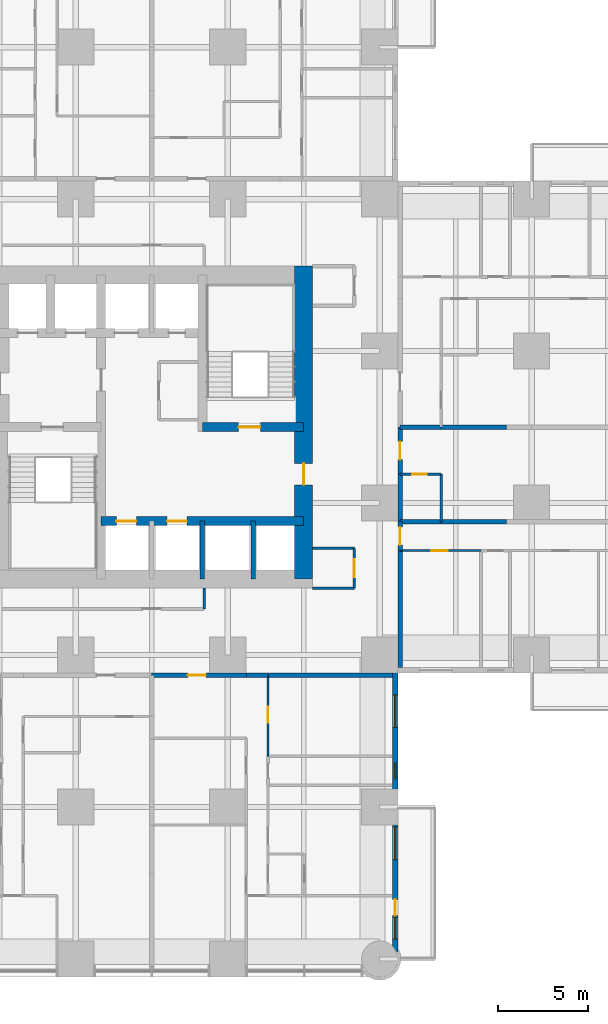
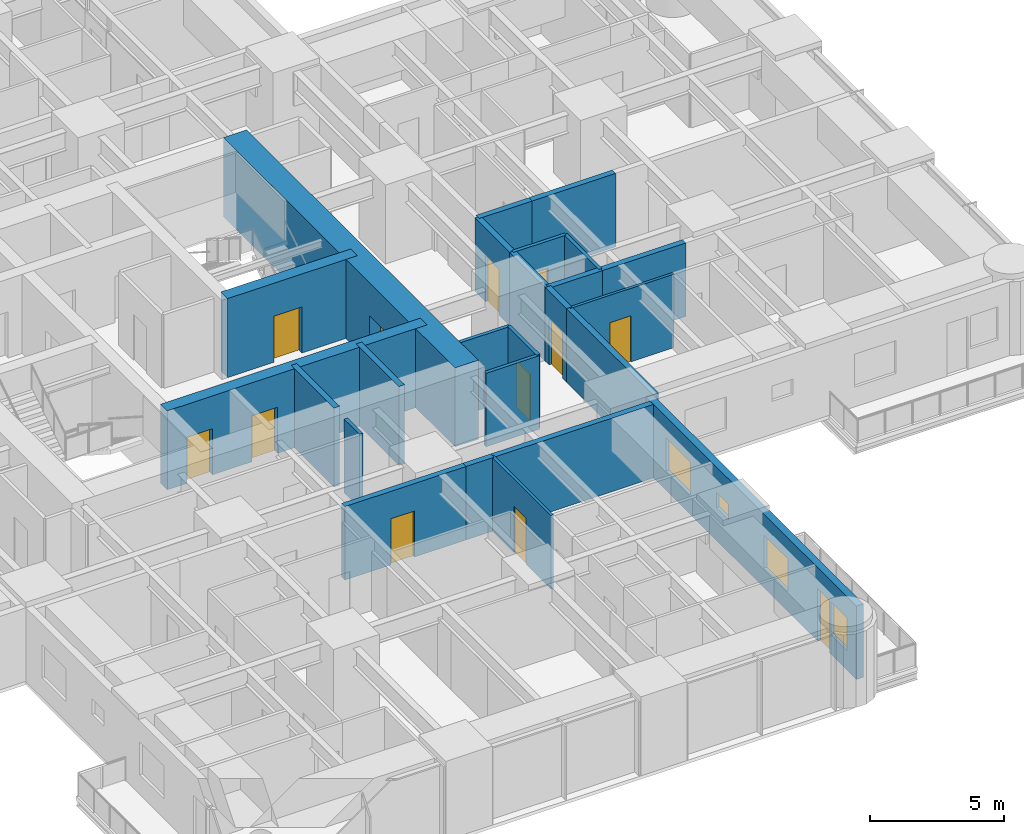
# One storey, part 10 of 17: 25 walls, 12 doors, 4 windows, 16 openings.
"""IFC4 building model written with IfcOpenShell, lengths in metres."""

from ifc_helpers import new_model, si_unit, direction, frame, frame_2d, origin, place, context, subcontext, project, spatial, rectangle, extrude, material, layer, layer_set, type_object, element, fill, save


model = new_model("IFC4")

# Units and contexts
model_context = context("Model", 3, precision=1e-05, world=origin(), true_north=direction((0.0, 1.0)))
body_context = subcontext(model_context, "Body", "Model", "MODEL_VIEW")
ifc_project = project(units=[si_unit("LENGTHUNIT", "METRE"), si_unit("AREAUNIT", "SQUARE_METRE"), si_unit("VOLUMEUNIT", "CUBIC_METRE"), si_unit("PLANEANGLEUNIT", "RADIAN"), si_unit("MASSUNIT", "GRAM", prefix="KILO")], contexts=[model_context])

# Site, building, storey
site_placement = place(None, origin())
site = spatial("IfcSite", under=ifc_project, at=site_placement, CompositionType="ELEMENT")
building_placement = place(site_placement, origin())
building = spatial("IfcBuilding", under=site, at=building_placement, Name="Torre Alcanfor", CompositionType="ELEMENT")
storey_placement = place(building_placement, frame((0.0, 0.0, 99.300048828125)))
storey = spatial("IfcBuildingStorey", under=building, at=storey_placement, Name="L25", CompositionType="ELEMENT", Elevation=99.300048828125)

# Wall, opening, door
ifc_material_1 = material(Name="Concrete block masonry, hollow blocks NMX-C-404 9 MPa", Category="masonry")
ifc_layer_1 = layer(ifc_material_1, 0.25)
ifc_layer_set_1 = layer_set([ifc_layer_1], Name="Apartment entrance wall 250 EI 60")
wall_type_1 = type_object("IfcWallType", Name="Apartment entrance wall 250 EI 60", PredefinedType="PARTITIONING", material=ifc_layer_set_1)
wall_1_placement = place(storey_placement, frame((43.125, 29.39990234375, 0.0), z_axis=(0.0, 0.0, 1.0), x_axis=(0.0, -1.0, 0.0)))
wall_1 = element("IfcWall", 1, at=wall_1_placement, inside=storey, type_object=wall_type_1, Name="Partition L25-CORR / L25-E2A-FOYER", PredefinedType="PARTITIONING", context=body_context, shape_type="SweptSolid", body=[
    extrude(rectangle(XDim=2.599853515625, YDim=0.25, at=frame_2d((1.2998046875, 0.0))), origin(), (0.0, 0.0, 1.0), 3.349853515625),
])
opening_1_placement = place(wall_1_placement, frame((0.800048828125, 0.0, 0.0)))
opening_1 = element("IfcOpeningElement", 2, at=opening_1_placement, cuts=wall_1, Name="Opening D-A1", PredefinedType="OPENING", context=body_context, shape_type="SweptSolid", body=[
    extrude(rectangle(XDim=1.0, YDim=2.10009765625, at=frame_2d((0.5, 1.050048828125))), frame((0.0, 0.135009765625, 0.0), z_axis=(0.0, -1.0, 0.0), x_axis=(1.0, 0.0, 0.0)), (0.0, 0.0, 1.0), 0.27001953125),
])
ifc_material_2 = material(Name="Galvanised steel sheet ASTM A653", Category="steel")
door_type_1 = type_object("IfcDoorType", Name="Apartment entrance door FD60 1000x2100", OperationType="SINGLE_SWING_LEFT", PredefinedType="DOOR", material=ifc_material_2)
door_1_placement = place(opening_1_placement, origin())
door_1 = element("IfcDoor", 3, at=door_1_placement, inside=storey, type_object=door_type_1, Name="Apartment entrance L25-E2A", OperationType="SINGLE_SWING_LEFT", OverallHeight=2.10009765625, OverallWidth=1.0, PredefinedType="DOOR", context=body_context, shape_type="SweptSolid", body=[
    extrude(rectangle(XDim=1.0, YDim=2.10009765625, at=frame_2d((0.5, 1.050048828125))), frame((0.0, 0.02490234375, 0.0), z_axis=(0.0, -1.0, 0.0), x_axis=(1.0, 0.0, 0.0)), (0.0, 0.0, 1.0), 0.050048828125),
])
fill(opening_1, door_1)

# Wall
wall_2_placement = place(storey_placement, frame((43.125, 26.800048828125, 0.0), z_axis=(0.0, 0.0, 1.0), x_axis=(0.0, -1.0, 0.0)))
element("IfcWall", 4, at=wall_2_placement, inside=storey, type_object=wall_type_1, Name="Partition L25-CORR / L25-E2A-BATH", PredefinedType="PARTITIONING", context=body_context, shape_type="SweptSolid", body=[
    extrude(rectangle(XDim=2.629150390625, YDim=0.25, at=frame_2d((1.314453125, 0.0))), origin(), (0.0, 0.0, 1.0), 3.349853515625),
])

# Wall, opening, door
wall_3_placement = place(storey_placement, frame((43.125, 24.1708984375, 0.0), z_axis=(0.0, 0.0, 1.0), x_axis=(0.0, -1.0, 0.0)))
wall_3 = element("IfcWall", 5, at=wall_3_placement, inside=storey, type_object=wall_type_1, Name="Partition L25-CORR / L25-E2B-HALL", PredefinedType="PARTITIONING", context=body_context, shape_type="SweptSolid", body=[
    extrude(rectangle(XDim=1.599853515625, YDim=0.25, at=frame_2d((0.7998046875, 0.0))), origin(), (0.0, 0.0, 1.0), 3.349853515625),
])
opening_2_placement = place(wall_3_placement, frame((0.300048828125, 0.0, 0.0)))
opening_2 = element("IfcOpeningElement", 6, at=opening_2_placement, cuts=wall_3, Name="Opening D-A1", PredefinedType="OPENING", context=body_context, shape_type="SweptSolid", body=[
    extrude(rectangle(XDim=1.0, YDim=2.10009765625, at=frame_2d((0.5, 1.050048828125))), frame((0.0, 0.135009765625, 0.0), z_axis=(0.0, -1.0, 0.0), x_axis=(1.0, 0.0, 0.0)), (0.0, 0.0, 1.0), 0.27001953125),
])
door_2_placement = place(opening_2_placement, origin())
door_2 = element("IfcDoor", 7, at=door_2_placement, inside=storey, type_object=door_type_1, Name="Apartment entrance L25-E2B", OperationType="SINGLE_SWING_LEFT", OverallHeight=2.10009765625, OverallWidth=1.0, PredefinedType="DOOR", context=body_context, shape_type="SweptSolid", body=[
    extrude(rectangle(XDim=1.0, YDim=2.10009765625, at=frame_2d((0.5, 1.050048828125))), frame((0.0, 0.02490234375, 0.0), z_axis=(0.0, -1.0, 0.0), x_axis=(1.0, 0.0, 0.0)), (0.0, 0.0, 1.0), 0.050048828125),
])
fill(opening_2, door_2)

# Wall
wall_4_placement = place(storey_placement, frame((43.125, 22.571044921875, 0.0), z_axis=(0.0, 0.0, 1.0), x_axis=(0.0, -1.0, 0.0)))
element("IfcWall", 8, at=wall_4_placement, inside=storey, type_object=wall_type_1, Name="Partition L25-CORR / L25-E2B-BED2", PredefinedType="PARTITIONING", context=body_context, shape_type="SweptSolid", body=[
    extrude(rectangle(XDim=6.470947265625, YDim=0.25, at=frame_2d((3.2353515625, 0.0))), origin(), (0.0, 0.0, 1.0), 3.349853515625),
])

# Wall, opening, door
wall_5_placement = place(storey_placement, frame((34.62890625, 15.675048828125, 0.0), z_axis=(0.0, 0.0, 1.0), x_axis=(-1.0, 0.0, 0.0)))
wall_5 = element("IfcWall", 9, at=wall_5_placement, inside=storey, type_object=wall_type_1, Name="Partition L25-CORR / L25-S1-ZAG", PredefinedType="PARTITIONING", context=body_context, shape_type="SweptSolid", body=[
    extrude(rectangle(XDim=5.22900390625, YDim=0.25, at=frame_2d((2.614501953125, 0.0))), origin(), (0.0, 0.0, 1.0), 3.349853515625),
])
opening_3_placement = place(wall_5_placement, frame((2.22900390625, 0.0, 0.0)))
opening_3 = element("IfcOpeningElement", 10, at=opening_3_placement, cuts=wall_5, Name="Opening D-A1", PredefinedType="OPENING", context=body_context, shape_type="SweptSolid", body=[
    extrude(rectangle(XDim=1.0, YDim=2.10009765625, at=frame_2d((0.5, 1.050048828125))), frame((0.0, 0.135009765625, 0.0), z_axis=(0.0, -1.0, 0.0), x_axis=(1.0, 0.0, 0.0)), (0.0, 0.0, 1.0), 0.27001953125),
])
door_3_placement = place(opening_3_placement, origin())
door_3 = element("IfcDoor", 11, at=door_3_placement, inside=storey, type_object=door_type_1, Name="Apartment entrance L25-S1", OperationType="SINGLE_SWING_RIGHT", OverallHeight=2.10009765625, OverallWidth=1.0, PredefinedType="DOOR", context=body_context, shape_type="SweptSolid", body=[
    extrude(rectangle(XDim=1.0, YDim=2.10009765625, at=frame_2d((0.5, 1.050048828125))), frame((0.0, 0.02490234375, 0.0), z_axis=(0.0, -1.0, 0.0), x_axis=(1.0, 0.0, 0.0)), (0.0, 0.0, 1.0), 0.050048828125),
])
fill(opening_3, door_3)

# Walls
wall_6_placement = place(storey_placement, frame((35.8291015625, 15.675048828125, 0.0), z_axis=(0.0, 0.0, 1.0), x_axis=(-1.0, 0.0, 0.0)))
element("IfcWall", 12, at=wall_6_placement, inside=storey, type_object=wall_type_1, Name="Partition L25-CORR / L25-S1-HALL", PredefinedType="PARTITIONING", context=body_context, shape_type="SweptSolid", body=[
    extrude(rectangle(XDim=1.2001953125, YDim=0.25, at=frame_2d((0.60009765625, 0.0))), origin(), (0.0, 0.0, 1.0), 3.349853515625),
])
wall_7_placement = place(storey_placement, frame((42.699951171875, 15.675048828125, 0.0), z_axis=(0.0, 0.0, 1.0), x_axis=(-1.0, 0.0, 0.0)))
element("IfcWall", 13, at=wall_7_placement, inside=storey, type_object=wall_type_1, Name="Partition L25-CORR / L25-S1-BED2", PredefinedType="PARTITIONING", context=body_context, shape_type="SweptSolid", body=[
    extrude(rectangle(XDim=6.870849609375, YDim=0.25, at=frame_2d((3.435546875, 0.0))), origin(), (0.0, 0.0, 1.0), 3.349853515625),
])

# Wall, opening, door
ifc_material_3 = material(Name="Gypsum board on steel studs", Category="steel")
ifc_layer_2 = layer(ifc_material_3, 0.1201171875)
ifc_layer_set_2 = layer_set([ifc_layer_2], Name="Apartment partition 120")
wall_type_2 = type_object("IfcWallType", Name="Apartment partition 120", PredefinedType="PARTITIONING", material=ifc_layer_set_2)
wall_8_placement = place(storey_placement, frame((47.60009765625, 22.571044921875, 0.0), z_axis=(0.0, 0.0, 1.0), x_axis=(-1.0, 0.0, 0.0)))
wall_8 = element("IfcWall", 14, at=wall_8_placement, inside=storey, type_object=wall_type_2, Name="Partition L25-E2B-HALL / L25-E2B-BED2", PredefinedType="PARTITIONING", context=body_context, shape_type="SweptSolid", body=[
    extrude(rectangle(XDim=4.47509765625, YDim=0.1201171875, at=frame_2d((2.237548828125, 0.0))), origin(), (0.0, 0.0, 1.0), 3.349853515625),
])
opening_4_placement = place(wall_8_placement, frame((1.85009765625, 0.0, 0.0)))
opening_4 = element("IfcOpeningElement", 15, at=opening_4_placement, cuts=wall_8, Name="Opening D-R1", PredefinedType="OPENING", context=body_context, shape_type="SweptSolid", body=[
    extrude(rectangle(XDim=0.89990234375, YDim=2.10009765625, at=frame_2d((0.449951171875, 1.050048828125))), frame((0.0, 0.070068359375, 0.0), z_axis=(0.0, -1.0, 0.0), x_axis=(1.0, 0.0, 0.0)), (0.0, 0.0, 1.0), 0.14013671875),
])
ifc_material_4 = material(Name="Timber", Category="wood")
door_type_2 = type_object("IfcDoorType", Name="Internal door 900x2100", OperationType="SINGLE_SWING_LEFT", PredefinedType="DOOR", material=ifc_material_4)
door_4_placement = place(opening_4_placement, origin())
door_4 = element("IfcDoor", 16, at=door_4_placement, inside=storey, type_object=door_type_2, Name="Door L25-E2B bed2", OperationType="SINGLE_SWING_RIGHT", OverallHeight=2.10009765625, OverallWidth=0.89990234375, PredefinedType="DOOR", context=body_context, shape_type="SweptSolid", body=[
    extrude(rectangle(XDim=0.89990234375, YDim=2.10009765625, at=frame_2d((0.449951171875, 1.050048828125))), frame((0.0, 0.02490234375, 0.0), z_axis=(0.0, -1.0, 0.0), x_axis=(1.0, 0.0, 0.0)), (0.0, 0.0, 1.0), 0.050048828125),
])
fill(opening_4, door_4)

wall_9_placement = place(storey_placement, frame((35.8291015625, 11.199951171875, 0.0), z_axis=(0.0, 0.0, 1.0), x_axis=(0.0, 1.0, 0.0)))
wall_9 = element("IfcWall", 17, at=wall_9_placement, inside=storey, type_object=wall_type_2, Name="Partition L25-S1-HALL / L25-S1-BED2", PredefinedType="PARTITIONING", context=body_context, shape_type="SweptSolid", body=[
    extrude(rectangle(XDim=4.47509765625, YDim=0.1201171875, at=frame_2d((2.237548828125, 0.0))), origin(), (0.0, 0.0, 1.0), 3.349853515625),
])
opening_5_placement = place(wall_9_placement, frame((1.85009765625, 0.0, 0.0)))
opening_5 = element("IfcOpeningElement", 18, at=opening_5_placement, cuts=wall_9, Name="Opening D-R1", PredefinedType="OPENING", context=body_context, shape_type="SweptSolid", body=[
    extrude(rectangle(XDim=0.89990234375, YDim=2.10009765625, at=frame_2d((0.449951171875, 1.050048828125))), frame((0.0, 0.070068359375, 0.0), z_axis=(0.0, -1.0, 0.0), x_axis=(1.0, 0.0, 0.0)), (0.0, 0.0, 1.0), 0.14013671875),
])
door_5_placement = place(opening_5_placement, frame((0.89990234375, 0.0, 0.0), z_axis=(0.0, 0.0, 1.0), x_axis=(-1.0, 0.0, 0.0)))
door_5 = element("IfcDoor", 19, at=door_5_placement, inside=storey, type_object=door_type_2, Name="Door L25-S1 bed2", OperationType="SINGLE_SWING_LEFT", OverallHeight=2.10009765625, OverallWidth=0.89990234375, PredefinedType="DOOR", context=body_context, shape_type="SweptSolid", body=[
    extrude(rectangle(XDim=0.89990234375, YDim=2.10009765625, at=frame_2d((0.449951171875, 1.050048828125))), frame((0.0, 0.025146484375, 0.0), z_axis=(0.0, -1.0, 0.0), x_axis=(1.0, 0.0, 0.0)), (0.0, 0.0, 1.0), 0.050048828125),
])
fill(opening_5, door_5)

# Wall, openings, doors
ifc_material_5 = material(Name="Concrete f'c 70 MPa", Category="concrete")
ifc_layer_3 = layer(ifc_material_5, 0.5)
ifc_layer_set_3 = layer_set([ifc_layer_3], Name="Core inner wall 500 f'c70")
wall_type_3 = type_object("IfcWallType", Name="Core inner wall 500 f'c70", PredefinedType="SHEAR", material=ifc_layer_set_3)
wall_10_placement = place(storey_placement, frame((26.60009765625, 24.199951171875, 0.0), z_axis=(0.0, 0.0, 1.0), x_axis=(1.0, 0.0, 0.0)))
wall_10 = element("IfcWall", 20, at=wall_10_placement, inside=storey, type_object=wall_type_3, Name="Core wall Y242 L25", PredefinedType="SHEAR", context=body_context, shape_type="SweptSolid", body=[
    extrude(rectangle(XDim=11.199951171875, YDim=0.5, at=frame_2d((5.60009765625, 0.0))), origin(), (0.0, 0.0, 1.0), 3.599853515625),
])
opening_6_placement = place(wall_10_placement, frame((0.85009765625, 0.0, 0.0)))
opening_6 = element("IfcOpeningElement", 21, at=opening_6_placement, cuts=wall_10, Name="Opening LD1", PredefinedType="OPENING", context=body_context, shape_type="SweptSolid", body=[
    extrude(rectangle(XDim=1.10009765625, YDim=2.10009765625, at=frame_2d((0.550048828125, 1.050048828125))), frame((0.0, 0.260009765625, 0.0), z_axis=(0.0, -1.0, 0.0), x_axis=(1.0, 0.0, 0.0)), (0.0, 0.0, 1.0), 0.52001953125),
])
opening_7_placement = place(wall_10_placement, frame((3.64990234375, 0.0, 0.0)))
opening_7 = element("IfcOpeningElement", 22, at=opening_7_placement, cuts=wall_10, Name="Opening LD1", PredefinedType="OPENING", context=body_context, shape_type="SweptSolid", body=[
    extrude(rectangle(XDim=1.10009765625, YDim=2.10009765625, at=frame_2d((0.550048828125, 1.050048828125))), frame((0.0, 0.260009765625, 0.0), z_axis=(0.0, -1.0, 0.0), x_axis=(1.0, 0.0, 0.0)), (0.0, 0.0, 1.0), 0.52001953125),
])
ifc_material_6 = material(Name="Galvanised steel sheet ASTM A653", Category="steel")
door_type_3 = type_object("IfcDoorType", Name="Lift landing door 1100x2100", OperationType="DOUBLE_DOOR_SLIDING", PredefinedType="DOOR", material=ifc_material_6)
door_6_placement = place(opening_6_placement, origin())
door_6 = element("IfcDoor", 23, at=door_6_placement, inside=storey, type_object=door_type_3, Name="Lift landing door PA1 L25", OperationType="DOUBLE_DOOR_SLIDING", OverallHeight=2.10009765625, OverallWidth=1.10009765625, PredefinedType="DOOR", context=body_context, shape_type="SweptSolid", body=[
    extrude(rectangle(XDim=1.10009765625, YDim=2.10009765625, at=frame_2d((0.550048828125, 1.050048828125))), frame((0.0, 0.02490234375, 0.0), z_axis=(0.0, -1.0, 0.0), x_axis=(1.0, 0.0, 0.0)), (0.0, 0.0, 1.0), 0.050048828125),
])
fill(opening_6, door_6)
door_7_placement = place(opening_7_placement, origin())
door_7 = element("IfcDoor", 24, at=door_7_placement, inside=storey, type_object=door_type_3, Name="Lift landing door PA2 L25", OperationType="DOUBLE_DOOR_SLIDING", OverallHeight=2.10009765625, OverallWidth=1.10009765625, PredefinedType="DOOR", context=body_context, shape_type="SweptSolid", body=[
    extrude(rectangle(XDim=1.10009765625, YDim=2.10009765625, at=frame_2d((0.550048828125, 1.050048828125))), frame((0.0, 0.02490234375, 0.0), z_axis=(0.0, -1.0, 0.0), x_axis=(1.0, 0.0, 0.0)), (0.0, 0.0, 1.0), 0.050048828125),
])
fill(opening_7, door_7)

# Wall, opening, door
wall_11_placement = place(storey_placement, frame((32.199951171875, 29.39990234375, 0.0), z_axis=(0.0, 0.0, 1.0), x_axis=(1.0, 0.0, 0.0)))
wall_11 = element("IfcWall", 25, at=wall_11_placement, inside=storey, type_object=wall_type_3, Name="Core wall Y294E L25", PredefinedType="SHEAR", context=body_context, shape_type="SweptSolid", body=[
    extrude(rectangle(XDim=5.60009765625, YDim=0.5, at=frame_2d((2.800048828125, 0.0))), origin(), (0.0, 0.0, 1.0), 3.599853515625),
])
opening_8_placement = place(wall_11_placement, frame((2.0, 0.0, 0.0)))
opening_8 = element("IfcOpeningElement", 26, at=opening_8_placement, cuts=wall_11, Name="Opening D-S2", PredefinedType="OPENING", context=body_context, shape_type="SweptSolid", body=[
    extrude(rectangle(XDim=1.199951171875, YDim=2.10009765625, at=frame_2d((0.60009765625, 1.050048828125))), frame((0.0, 0.260009765625, 0.0), z_axis=(0.0, -1.0, 0.0), x_axis=(1.0, 0.0, 0.0)), (0.0, 0.0, 1.0), 0.52001953125),
])
ifc_material_7 = material(Name="Galvanised steel sheet ASTM A653", Category="steel")
door_type_4 = type_object("IfcDoorType", Name="Stair enclosure door FD120 1200x2100", OperationType="SINGLE_SWING_LEFT", PredefinedType="DOOR", material=ifc_material_7)
door_8_placement = place(opening_8_placement, origin())
door_8 = element("IfcDoor", 27, at=door_8_placement, inside=storey, type_object=door_type_4, Name="Stair S2 door L25", OperationType="SINGLE_SWING_LEFT", OverallHeight=2.10009765625, OverallWidth=1.199951171875, PredefinedType="DOOR", context=body_context, shape_type="SweptSolid", body=[
    extrude(rectangle(XDim=1.199951171875, YDim=2.10009765625, at=frame_2d((0.60009765625, 1.050048828125))), frame((0.0, 0.02490234375, 0.0), z_axis=(0.0, -1.0, 0.0), x_axis=(1.0, 0.0, 0.0)), (0.0, 0.0, 1.0), 0.050048828125),
])
fill(opening_8, door_8)

# Walls
ifc_material_8 = material(Name="Concrete f'c 70 MPa", Category="concrete")
ifc_layer_4 = layer(ifc_material_8, 0.25)
ifc_layer_set_4 = layer_set([ifc_layer_4], Name="Core shaft wall 250 f'c70")
wall_type_4 = type_object("IfcWallType", Name="Core shaft wall 250 f'c70", PredefinedType="SHEAR", material=ifc_layer_set_4)
for number, where, z_axis, x_axis, name in (
    (28, (32.199951171875, 21.0, 0.0), (0.0, 0.0, 1.0), (0.0, 1.0, 0.0), "Core wall X322S L25"),
    (29, (35.0, 21.0, 0.0), (0.0, 0.0, 1.0), (0.0, 1.0, 0.0), "Core wall X350S L25"),
):
    element("IfcWall", number, at=place(storey_placement, frame(where, z_axis=z_axis, x_axis=x_axis)), inside=storey, type_object=wall_type_4, Name=name, PredefinedType="SHEAR", context=body_context, shape_type="SweptSolid", body=[
        extrude(rectangle(XDim=3.199951171875, YDim=0.25, at=frame_2d((1.60009765625, 0.0))), origin(), (0.0, 0.0, 1.0), 3.599853515625),
    ])

# Wall, opening, door
ifc_material_9 = material(Name="Concrete f'c 70 MPa", Category="concrete")
ifc_layer_5 = layer(ifc_material_9, 1.0)
ifc_layer_set_5 = layer_set([ifc_layer_5], Name="Core wall 1000 f'c70")
wall_type_5 = type_object("IfcWallType", Name="Core wall 1000 f'c70", PredefinedType="SHEAR", material=ifc_layer_set_5)
wall_12_placement = place(storey_placement, frame((37.800048828125, 21.0, 0.0), z_axis=(0.0, 0.0, 1.0), x_axis=(0.0, 1.0, 0.0)))
wall_12 = element("IfcWall", 30, at=wall_12_placement, inside=storey, type_object=wall_type_5, Name="Core wall OUT-E L25", PredefinedType="SHEAR", context=body_context, shape_type="SweptSolid", body=[
    extrude(rectangle(XDim=17.300048828125, YDim=1.0, at=frame_2d((8.64990234375, 0.0))), origin(), (0.0, 0.0, 1.0), 3.599853515625),
])
opening_9_placement = place(wall_12_placement, frame((5.199951171875, 0.0, 0.0)))
opening_9 = element("IfcOpeningElement", 31, at=opening_9_placement, cuts=wall_12, Name="Opening D-L1", PredefinedType="OPENING", context=body_context, shape_type="SweptSolid", body=[
    extrude(rectangle(XDim=1.199951171875, YDim=2.10009765625, at=frame_2d((0.60009765625, 1.050048828125))), frame((0.0, 0.510009765625, 0.0), z_axis=(0.0, -1.0, 0.0), x_axis=(1.0, 0.0, 0.0)), (0.0, 0.0, 1.0), 1.02001953125),
])
ifc_material_10 = material(Name="Galvanised steel sheet ASTM A653", Category="steel")
door_type_5 = type_object("IfcDoorType", Name="Lobby door FD120 1200x2100", OperationType="SINGLE_SWING_LEFT", PredefinedType="DOOR", material=ifc_material_10)
door_9_placement = place(opening_9_placement, origin())
door_9 = element("IfcDoor", 32, at=door_9_placement, inside=storey, type_object=door_type_5, Name="Lift lobby entrance door L25", OperationType="SINGLE_SWING_LEFT", OverallHeight=2.10009765625, OverallWidth=1.199951171875, PredefinedType="DOOR", context=body_context, shape_type="SweptSolid", body=[
    extrude(rectangle(XDim=1.199951171875, YDim=2.10009765625, at=frame_2d((0.60009765625, 1.050048828125))), frame((0.0, 0.02490234375, 0.0), z_axis=(0.0, -1.0, 0.0), x_axis=(1.0, 0.0, 0.0)), (0.0, 0.0, 1.0), 0.050048828125),
])
fill(opening_9, door_9)

# Wall, openings, door, windows
ifc_material_11 = material(Name="Limestone cladding", Category="masonry")
ifc_layer_6 = layer(ifc_material_11, 0.0400390625, Name="Facing")
ifc_material_12 = material(Name="Ventilated air cavity")
ifc_layer_7 = layer(ifc_material_12, 0.02001953125, ventilated=True, Name="Ventilated joint")
ifc_material_13 = material(Name="Mineral wool insulation", Category="insulation")
ifc_layer_8 = layer(ifc_material_13, 0.10009765625, Name="Insulation")
ifc_material_14 = material(Name="Concrete f'c 35 MPa", Category="concrete")
ifc_layer_9 = layer(ifc_material_14, 0.139892578125, Name="Backing")
ifc_layer_set_6 = layer_set([ifc_layer_6, ifc_layer_7, ifc_layer_8, ifc_layer_9], Name="External wall stone-clad 300")
wall_type_6 = type_object("IfcWallType", Name="External wall stone-clad 300", PredefinedType="SOLIDWALL", material=ifc_layer_set_6)
wall_13_placement = place(storey_placement, frame((42.85009765625, 0.39990234375, 0.0), z_axis=(0.0, 0.0, 1.0), x_axis=(0.0, 1.0, 0.0)))
wall_13 = element("IfcWall", 33, at=wall_13_placement, inside=storey, type_object=wall_type_6, Name="External wall L25 6", PredefinedType="SOLIDWALL", context=body_context, shape_type="SweptSolid", body=[
    extrude(rectangle(XDim=15.7001953125, YDim=0.300048828125, at=frame_2d((7.85009765625, 0.0))), origin(), (0.0, 0.0, 1.0), 3.349853515625),
])
opening_10_placement = place(wall_13_placement, frame((12.39990234375, 0.0, 0.89990234375)))
opening_10 = element("IfcOpeningElement", 34, at=opening_10_placement, cuts=wall_13, Name="Opening W2", PredefinedType="OPENING", context=body_context, shape_type="SweptSolid", body=[
    extrude(rectangle(XDim=1.800048828125, YDim=1.5, at=frame_2d((0.89990234375, 0.75))), frame((0.0, 0.159912109375, 0.0), z_axis=(0.0, -1.0, 0.0), x_axis=(1.0, 0.0, 0.0)), (0.0, 0.0, 1.0), 0.320068359375),
])
opening_11_placement = place(wall_13_placement, frame((9.550048828125, 0.0, 1.5)))
opening_11 = element("IfcOpeningElement", 35, at=opening_11_placement, cuts=wall_13, Name="Opening W3", PredefinedType="OPENING", context=body_context, shape_type="SweptSolid", body=[
    extrude(rectangle(XDim=0.89990234375, YDim=0.699951171875, at=frame_2d((0.449951171875, 0.35009765625))), frame((0.0, 0.159912109375, 0.0), z_axis=(0.0, -1.0, 0.0), x_axis=(1.0, 0.0, 0.0)), (0.0, 0.0, 1.0), 0.320068359375),
])
opening_12_placement = place(wall_13_placement, frame((5.10009765625, 0.0, 0.89990234375)))
opening_12 = element("IfcOpeningElement", 36, at=opening_12_placement, cuts=wall_13, Name="Opening W2", PredefinedType="OPENING", context=body_context, shape_type="SweptSolid", body=[
    extrude(rectangle(XDim=1.800048828125, YDim=1.5, at=frame_2d((0.89990234375, 0.75))), frame((0.0, 0.159912109375, 0.0), z_axis=(0.0, -1.0, 0.0), x_axis=(1.0, 0.0, 0.0)), (0.0, 0.0, 1.0), 0.320068359375),
])
opening_13_placement = place(wall_13_placement, frame((2.0, 0.0, 0.0)))
opening_13 = element("IfcOpeningElement", 37, at=opening_13_placement, cuts=wall_13, Name="Opening D-B1", PredefinedType="OPENING", context=body_context, shape_type="SweptSolid", body=[
    extrude(rectangle(XDim=0.89990234375, YDim=2.39990234375, at=frame_2d((0.449951171875, 1.199951171875))), frame((0.0, 0.159912109375, 0.0), z_axis=(0.0, -1.0, 0.0), x_axis=(1.0, 0.0, 0.0)), (0.0, 0.0, 1.0), 0.320068359375),
])
opening_14_placement = place(wall_13_placement, frame((0.699951171875, 0.0, 0.89990234375)))
opening_14 = element("IfcOpeningElement", 38, at=opening_14_placement, cuts=wall_13, Name="Opening W4", PredefinedType="OPENING", context=body_context, shape_type="SweptSolid", body=[
    extrude(rectangle(XDim=1.199951171875, YDim=1.5, at=frame_2d((0.60009765625, 0.75))), frame((0.0, 0.159912109375, 0.0), z_axis=(0.0, -1.0, 0.0), x_axis=(1.0, 0.0, 0.0)), (0.0, 0.0, 1.0), 0.320068359375),
])
ifc_material_15 = material(Name="Aluminium and glass", Category="aluminium")
door_type_6 = type_object("IfcDoorType", Name="Balcony door glazed 900x2400", OperationType="SINGLE_SWING_LEFT", PredefinedType="DOOR", material=ifc_material_15)
door_10_placement = place(opening_13_placement, origin())
door_10 = element("IfcDoor", 39, at=door_10_placement, inside=storey, type_object=door_type_6, Name="Balcony door L25-S1", OperationType="SINGLE_SWING_RIGHT", OverallHeight=2.39990234375, OverallWidth=0.89990234375, PredefinedType="DOOR", context=body_context, shape_type="SweptSolid", body=[
    extrude(rectangle(XDim=0.89990234375, YDim=2.39990234375, at=frame_2d((0.449951171875, 1.199951171875))), frame((0.0, 0.02490234375, 0.0), z_axis=(0.0, -1.0, 0.0), x_axis=(1.0, 0.0, 0.0)), (0.0, 0.0, 1.0), 0.050048828125),
])
fill(opening_13, door_10)
ifc_material_16 = material(Name="Aluminium frame with clear double glazing", Category="aluminium")
window_type_1 = type_object("IfcWindowType", Name="Window bathroom 900x700", PartitioningType="SINGLE_PANEL", PredefinedType="WINDOW", material=ifc_material_16)
window_1_placement = place(opening_11_placement, origin())
window_1 = element("IfcWindow", 40, at=window_1_placement, inside=storey, type_object=window_type_1, Name="Window W3 L25-S1", OverallHeight=0.699951171875, OverallWidth=0.89990234375, PartitioningType="SINGLE_PANEL", PredefinedType="WINDOW", context=body_context, shape_type="SweptSolid", body=[
    extrude(rectangle(XDim=0.89990234375, YDim=0.699951171875, at=frame_2d((0.449951171875, 0.35009765625))), frame((0.0, 0.030029296875, 0.0), z_axis=(0.0, -1.0, 0.0), x_axis=(1.0, 0.0, 0.0)), (0.0, 0.0, 1.0), 0.06005859375),
])
fill(opening_11, window_1)
ifc_material_17 = material(Name="Aluminium frame with clear double glazing", Category="aluminium")
window_type_2 = type_object("IfcWindowType", Name="Window bedroom 1200x1500", PartitioningType="SINGLE_PANEL", PredefinedType="WINDOW", material=ifc_material_17)
window_2_placement = place(opening_14_placement, origin())
window_2 = element("IfcWindow", 41, at=window_2_placement, inside=storey, type_object=window_type_2, Name="Window W4 L25-S1", OverallHeight=1.5, OverallWidth=1.199951171875, PartitioningType="SINGLE_PANEL", PredefinedType="WINDOW", context=body_context, shape_type="SweptSolid", body=[
    extrude(rectangle(XDim=1.199951171875, YDim=1.5, at=frame_2d((0.60009765625, 0.75))), frame((0.0, 0.030029296875, 0.0), z_axis=(0.0, -1.0, 0.0), x_axis=(1.0, 0.0, 0.0)), (0.0, 0.0, 1.0), 0.06005859375),
])
fill(opening_14, window_2)
ifc_material_18 = material(Name="Aluminium frame with clear double glazing", Category="aluminium")
window_type_3 = type_object("IfcWindowType", Name="Window bedroom 1800x1500", PartitioningType="SINGLE_PANEL", PredefinedType="WINDOW", material=ifc_material_18)
window_3_placement = place(opening_10_placement, origin())
window_3 = element("IfcWindow", 42, at=window_3_placement, inside=storey, type_object=window_type_3, Name="Window W2 L25-S1", OverallHeight=1.5, OverallWidth=1.800048828125, PartitioningType="SINGLE_PANEL", PredefinedType="WINDOW", context=body_context, shape_type="SweptSolid", body=[
    extrude(rectangle(XDim=1.800048828125, YDim=1.5, at=frame_2d((0.89990234375, 0.75))), frame((0.0, 0.030029296875, 0.0), z_axis=(0.0, -1.0, 0.0), x_axis=(1.0, 0.0, 0.0)), (0.0, 0.0, 1.0), 0.06005859375),
])
fill(opening_10, window_3)
window_4_placement = place(opening_12_placement, origin())
window_4 = element("IfcWindow", 43, at=window_4_placement, inside=storey, type_object=window_type_3, Name="Window W2 L25-S1", OverallHeight=1.5, OverallWidth=1.800048828125, PartitioningType="SINGLE_PANEL", PredefinedType="WINDOW", context=body_context, shape_type="SweptSolid", body=[
    extrude(rectangle(XDim=1.800048828125, YDim=1.5, at=frame_2d((0.89990234375, 0.75))), frame((0.0, 0.030029296875, 0.0), z_axis=(0.0, -1.0, 0.0), x_axis=(1.0, 0.0, 0.0)), (0.0, 0.0, 1.0), 0.06005859375),
])
fill(opening_12, window_4)

# Walls
ifc_material_19 = material(Name="Concrete block masonry, hollow blocks NMX-C-404 9 MPa", Category="masonry")
ifc_layer_10 = layer(ifc_material_19, 0.25)
ifc_layer_set_7 = layer_set([ifc_layer_10], Name="Party wall 250 EI 60")
wall_type_7 = type_object("IfcWallType", Name="Party wall 250 EI 60", PredefinedType="PARTITIONING", material=ifc_layer_set_7)
wall_14_placement = place(storey_placement, frame((43.125, 29.39990234375, 0.0), z_axis=(0.0, 0.0, 1.0), x_axis=(1.0, 0.0, 0.0)))
element("IfcWall", 44, at=wall_14_placement, inside=storey, type_object=wall_type_7, Name="Partition L25-E1-ZAG / L25-E2A-FOYER", PredefinedType="PARTITIONING", context=body_context, shape_type="SweptSolid", body=[
    extrude(rectangle(XDim=2.27490234375, YDim=0.25, at=frame_2d((1.137451171875, 0.0))), origin(), (0.0, 0.0, 1.0), 3.349853515625),
])
wall_15_placement = place(storey_placement, frame((49.0, 29.39990234375, 0.0), z_axis=(0.0, 0.0, 1.0), x_axis=(-1.0, 0.0, 0.0)))
element("IfcWall", 45, at=wall_15_placement, inside=storey, type_object=wall_type_7, Name="Partition L25-E1-KITCHEN / L25-E2A-KITCHEN", PredefinedType="PARTITIONING", context=body_context, shape_type="SweptSolid", body=[
    extrude(rectangle(XDim=3.60009765625, YDim=0.25, at=frame_2d((1.800048828125, 0.0))), origin(), (0.0, 0.0, 1.0), 3.349853515625),
])
wall_16_placement = place(storey_placement, frame((45.39990234375, 24.1708984375, 0.0), z_axis=(0.0, 0.0, 1.0), x_axis=(-1.0, 0.0, 0.0)))
element("IfcWall", 46, at=wall_16_placement, inside=storey, type_object=wall_type_7, Name="Partition L25-E2A-BATH / L25-E2B-HALL", PredefinedType="PARTITIONING", context=body_context, shape_type="SweptSolid", body=[
    extrude(rectangle(XDim=2.27490234375, YDim=0.25, at=frame_2d((1.137451171875, 0.0))), origin(), (0.0, 0.0, 1.0), 3.349853515625),
])
wall_17_placement = place(storey_placement, frame((49.0, 24.1708984375, 0.0), z_axis=(0.0, 0.0, 1.0), x_axis=(-1.0, 0.0, 0.0)))
element("IfcWall", 47, at=wall_17_placement, inside=storey, type_object=wall_type_7, Name="Partition L25-E2A-KITCHEN / L25-E2B-HALL", PredefinedType="PARTITIONING", context=body_context, shape_type="SweptSolid", body=[
    extrude(rectangle(XDim=3.60009765625, YDim=0.25, at=frame_2d((1.800048828125, 0.0))), origin(), (0.0, 0.0, 1.0), 3.349853515625),
])
ifc_material_20 = material(Name="Concrete block masonry, hollow blocks NMX-C-404 9 MPa", Category="masonry")
ifc_layer_11 = layer(ifc_material_20, 0.14990234375)
ifc_layer_set_8 = layer_set([ifc_layer_11], Name="Residents' room partition 150")
wall_type_8 = type_object("IfcWallType", Name="Residents' room partition 150", PredefinedType="PARTITIONING", material=ifc_layer_set_8)
wall_18_placement = place(storey_placement, frame((38.300048828125, 20.5, 0.0), z_axis=(0.0, 0.0, 1.0), x_axis=(1.0, 0.0, 0.0)))
element("IfcWall", 48, at=wall_18_placement, inside=storey, type_object=wall_type_8, Name="Partition L25-CORR / L25-G02", PredefinedType="PARTITIONING", context=body_context, shape_type="SweptSolid", body=[
    extrude(rectangle(XDim=2.300048828125, YDim=0.14990234375, at=frame_2d((1.14990234375, 0.0))), origin(), (0.0, 0.0, 1.0), 3.349853515625),
])

# Wall, opening, door
wall_19_placement = place(storey_placement, frame((40.60009765625, 20.5, 0.0), z_axis=(0.0, 0.0, 1.0), x_axis=(0.0, 1.0, 0.0)))
wall_19 = element("IfcWall", 49, at=wall_19_placement, inside=storey, type_object=wall_type_8, Name="Partition L25-CORR / L25-G02", PredefinedType="PARTITIONING", context=body_context, shape_type="SweptSolid", body=[
    extrude(rectangle(XDim=2.199951171875, YDim=0.14990234375, at=frame_2d((1.10009765625, 0.0))), origin(), (0.0, 0.0, 1.0), 3.349853515625),
])
opening_15_placement = place(wall_19_placement, frame((0.60009765625, 0.0, 0.0)))
opening_15 = element("IfcOpeningElement", 50, at=opening_15_placement, cuts=wall_19, Name="Opening D-M1", PredefinedType="OPENING", context=body_context, shape_type="SweptSolid", body=[
    extrude(rectangle(XDim=1.0, YDim=2.10009765625, at=frame_2d((0.5, 1.050048828125))), frame((0.0, 0.0849609375, 0.0), z_axis=(0.0, -1.0, 0.0), x_axis=(1.0, 0.0, 0.0)), (0.0, 0.0, 1.0), 0.169921875),
])
ifc_material_21 = material(Name="Timber", Category="wood")
door_type_7 = type_object("IfcDoorType", Name="Residents' room door 1000x2100", OperationType="SINGLE_SWING_LEFT", PredefinedType="DOOR", material=ifc_material_21)
door_11_placement = place(opening_15_placement, origin())
door_11 = element("IfcDoor", 51, at=door_11_placement, inside=storey, type_object=door_type_7, Name="Door L25-G02 parcel room", OperationType="SINGLE_SWING_LEFT", OverallHeight=2.10009765625, OverallWidth=1.0, PredefinedType="DOOR", context=body_context, shape_type="SweptSolid", body=[
    extrude(rectangle(XDim=1.0, YDim=2.10009765625, at=frame_2d((0.5, 1.050048828125))), frame((0.0, 0.02490234375, 0.0), z_axis=(0.0, -1.0, 0.0), x_axis=(1.0, 0.0, 0.0)), (0.0, 0.0, 1.0), 0.050048828125),
])
fill(opening_15, door_11)

# Walls
wall_20_placement = place(storey_placement, frame((40.60009765625, 22.699951171875, 0.0), z_axis=(0.0, 0.0, 1.0), x_axis=(-1.0, 0.0, 0.0)))
element("IfcWall", 52, at=wall_20_placement, inside=storey, type_object=wall_type_8, Name="Partition L25-CORR / L25-G02", PredefinedType="PARTITIONING", context=body_context, shape_type="SweptSolid", body=[
    extrude(rectangle(XDim=2.300048828125, YDim=0.14990234375, at=frame_2d((1.14990234375, 0.0))), origin(), (0.0, 0.0, 1.0), 3.349853515625),
])
wall_21_placement = place(storey_placement, frame((32.300048828125, 19.35009765625, 0.0), z_axis=(0.0, 0.0, 1.0), x_axis=(0.0, 1.0, 0.0)))
element("IfcWall", 53, at=wall_21_placement, inside=storey, type_object=wall_type_8, Name="Partition L25-CORR / L25-G04", PredefinedType="PARTITIONING", context=body_context, shape_type="SweptSolid", body=[
    extrude(rectangle(XDim=1.14990234375, YDim=0.14990234375, at=frame_2d((0.574951171875, 0.0))), origin(), (0.0, 0.0, 1.0), 3.349853515625),
])

# Wall, opening, door
ifc_material_22 = material(Name="Cement board on steel studs", Category="steel")
ifc_layer_12 = layer(ifc_material_22, 0.14990234375)
ifc_layer_set_9 = layer_set([ifc_layer_12], Name="Wet area partition 150")
wall_type_9 = type_object("IfcWallType", Name="Wet area partition 150", PredefinedType="PARTITIONING", material=ifc_layer_set_9)
wall_22_placement = place(storey_placement, frame((45.39990234375, 26.800048828125, 0.0), z_axis=(0.0, 0.0, 1.0), x_axis=(-1.0, 0.0, 0.0)))
wall_22 = element("IfcWall", 54, at=wall_22_placement, inside=storey, type_object=wall_type_9, Name="Partition L25-E2A-FOYER / L25-E2A-BATH", PredefinedType="PARTITIONING", context=body_context, shape_type="SweptSolid", body=[
    extrude(rectangle(XDim=2.27490234375, YDim=0.14990234375, at=frame_2d((1.137451171875, 0.0))), origin(), (0.0, 0.0, 1.0), 3.349853515625),
])
opening_16_placement = place(wall_22_placement, frame((0.800048828125, 0.0, 0.0)))
opening_16 = element("IfcOpeningElement", 55, at=opening_16_placement, cuts=wall_22, Name="Opening D-R2", PredefinedType="OPENING", context=body_context, shape_type="SweptSolid", body=[
    extrude(rectangle(XDim=0.800048828125, YDim=2.10009765625, at=frame_2d((0.39990234375, 1.050048828125))), frame((0.0, 0.0849609375, 0.0), z_axis=(0.0, -1.0, 0.0), x_axis=(1.0, 0.0, 0.0)), (0.0, 0.0, 1.0), 0.169921875),
])
ifc_material_23 = material(Name="Timber", Category="wood")
door_type_8 = type_object("IfcDoorType", Name="Bathroom door 800x2100", OperationType="SINGLE_SWING_LEFT", PredefinedType="DOOR", material=ifc_material_23)
door_12_placement = place(opening_16_placement, origin())
door_12 = element("IfcDoor", 56, at=door_12_placement, inside=storey, type_object=door_type_8, Name="Door L25-E2A bath", OperationType="SINGLE_SWING_RIGHT", OverallHeight=2.10009765625, OverallWidth=0.800048828125, PredefinedType="DOOR", context=body_context, shape_type="SweptSolid", body=[
    extrude(rectangle(XDim=0.800048828125, YDim=2.10009765625, at=frame_2d((0.39990234375, 1.050048828125))), frame((0.0, 0.02490234375, 0.0), z_axis=(0.0, -1.0, 0.0), x_axis=(1.0, 0.0, 0.0)), (0.0, 0.0, 1.0), 0.050048828125),
])
fill(opening_16, door_12)

# Wall
wall_23_placement = place(storey_placement, frame((45.39990234375, 26.800048828125, 0.0), z_axis=(0.0, 0.0, 1.0), x_axis=(0.0, -1.0, 0.0)))
element("IfcWall", 57, at=wall_23_placement, inside=storey, type_object=wall_type_9, Name="Partition L25-E2A-BATH / L25-E2A-KITCHEN", PredefinedType="PARTITIONING", context=body_context, shape_type="SweptSolid", body=[
    extrude(rectangle(XDim=2.629150390625, YDim=0.14990234375, at=frame_2d((1.314453125, 0.0))), origin(), (0.0, 0.0, 1.0), 3.349853515625),
])

save(model, "model.ifc")
